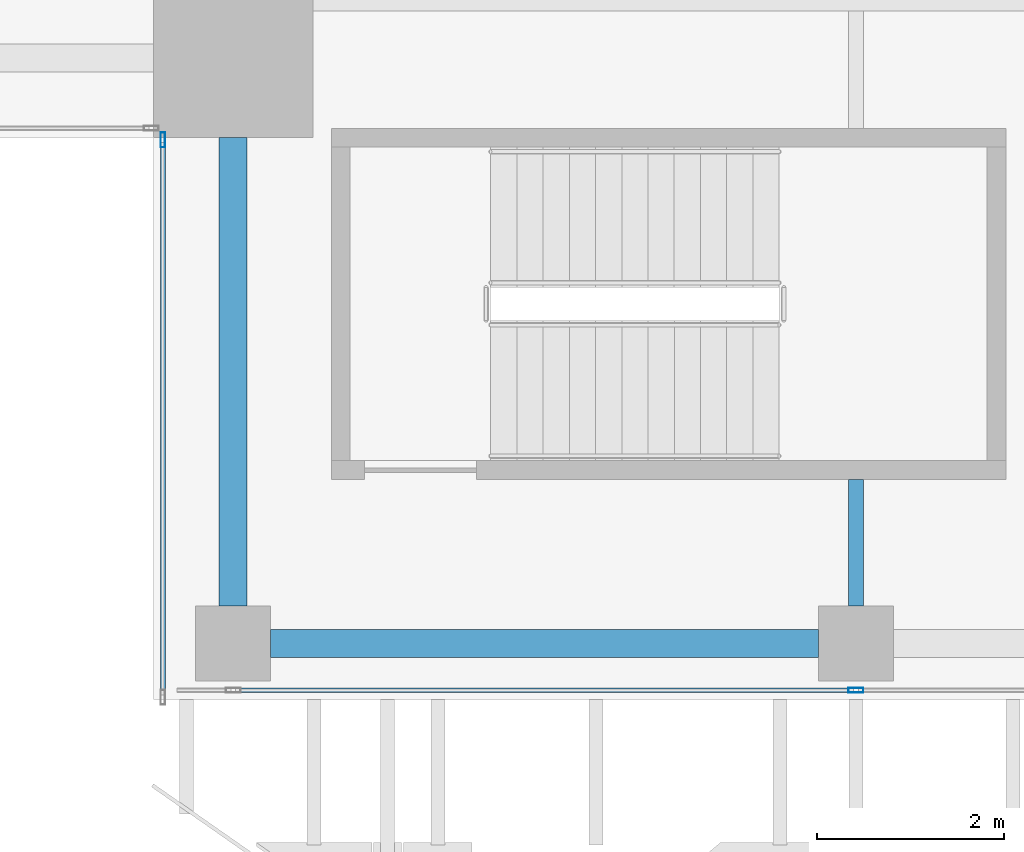
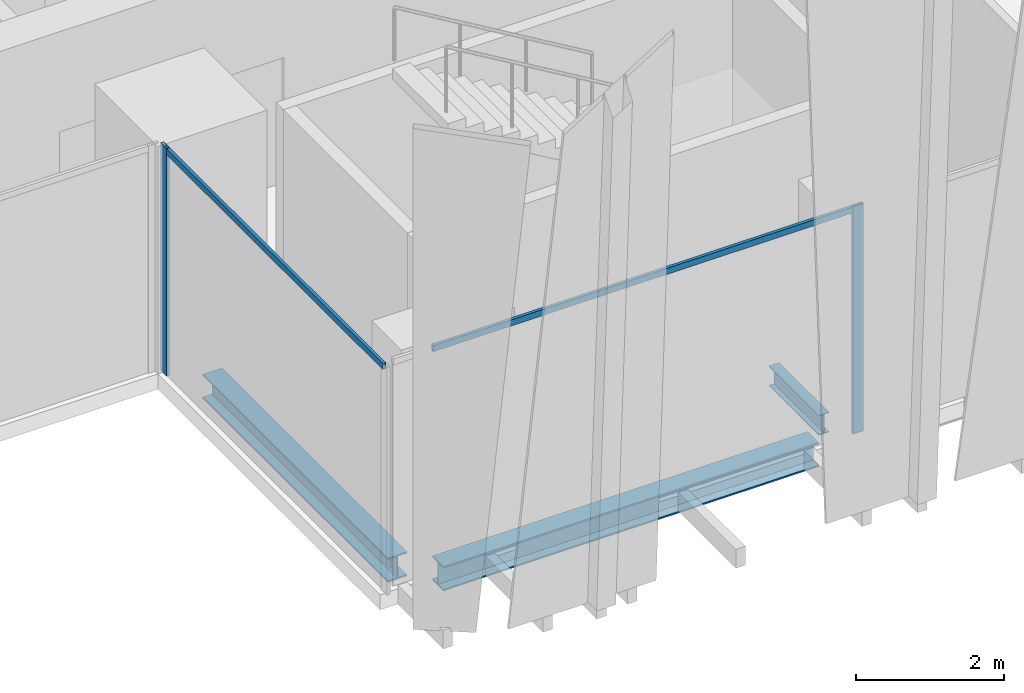
# One storey, part 3 of 33: 4 members, 3 beams, 2 elements without a shape of their own.
"""IFC4 building model written with IfcOpenShell, lengths in metres."""

from ifc_helpers import new_model, si_unit, direction, frame, origin, origin_2d, place, context, subcontext, project, spatial, hollow_rectangle, i_section, extrude, source, transform, mapped, material, material_profile, profile_set, type_object, element, aggregate, save


model = new_model("IFC4")

# Units and contexts
model_context = context("Model", 3, precision=1e-05, world=origin(), true_north=direction((0.0, 1.0)))
body_context = subcontext(model_context, "Body", "Model", "MODEL_VIEW")
ifc_project = project(units=[si_unit("LENGTHUNIT", "METRE"), si_unit("AREAUNIT", "SQUARE_METRE"), si_unit("VOLUMEUNIT", "CUBIC_METRE"), si_unit("PLANEANGLEUNIT", "RADIAN"), si_unit("MASSUNIT", "GRAM", prefix="KILO")], contexts=[model_context])

# Site, building, storey
site_placement = place(None, origin())
site = spatial("IfcSite", under=ifc_project, at=site_placement, CompositionType="ELEMENT")
building_placement = place(site_placement, origin())
building = spatial("IfcBuilding", under=site, at=building_placement, Name="Khomas Fold Tower", CompositionType="ELEMENT")
storey_placement = place(building_placement, frame((0.0, 0.0, 294.199951171875)))
storey = spatial("IfcBuildingStorey", under=building, at=storey_placement, Name="L66", CompositionType="ELEMENT", Elevation=294.199951171875)

# Beams
ifc_material_1 = material(Name="Steel S355", Category="steel")
ifc_material_profile_1 = material_profile(ifc_material_1, i_section(OverallWidth=0.159912109375, OverallDepth=0.330078125, WebThickness=0.007568359375, FlangeThickness=0.011474609375, at=origin_2d()), Name="IPE 330")
ifc_profile_set_1 = profile_set([ifc_material_profile_1], Name="Steel S355")
beam_type_1 = type_object("IfcBeamType", Name="IPE 330 beam JB1", PredefinedType="BEAM", material=ifc_profile_set_1)
shared_shape_1 = source(origin(), body_context, "Body", "SweptSolid", [
    extrude(i_section(OverallWidth=0.159912109375, OverallDepth=0.330078125, WebThickness=0.007568359375, FlangeThickness=0.011474609375, at=origin_2d()), origin(), (0.0, 0.0, 1.0), 1.35009765625),
])
beam_1_placement = place(storey_placement, frame((19.5, 7.0, -0.4150390625), z_axis=(0.0, 1.0, 0.0), x_axis=(-1.0, 0.0, 0.0)))
element("IfcBeam", 1, at=beam_1_placement, inside=storey, type_object=beam_type_1, Name="JB1", PredefinedType="BEAM", context=body_context, shape_type="MappedRepresentation", body=[
    mapped(shared_shape_1, transform((0.0, 0.0, 0.0))),
])
ifc_material_2 = material(Name="Steel S355", Category="steel")
ifc_material_profile_2 = material_profile(ifc_material_2, i_section(OverallWidth=0.300048828125, OverallDepth=0.39990234375, WebThickness=0.013427734375, FlangeThickness=0.02392578125, at=origin_2d()), Name="HE 400 B")
ifc_profile_set_2 = profile_set([ifc_material_profile_2], Name="Steel S355")
beam_type_2 = type_object("IfcBeamType", Name="HE 400 B spandrel SB5", PredefinedType="SPANDREL", material=ifc_profile_set_2)
shared_shape_2 = source(origin(), body_context, "Body", "SweptSolid", [
    extrude(i_section(OverallWidth=0.300048828125, OverallDepth=0.39990234375, WebThickness=0.013427734375, FlangeThickness=0.02392578125, at=origin_2d()), origin(), (0.0, 0.0, 1.0), 5.85009765625),
])
beam_2_placement = place(storey_placement, frame((13.25, 6.60009765625, -0.449951171875), z_axis=(1.0, 0.0, 0.0), x_axis=(0.0, 1.0, 0.0)))
element("IfcBeam", 2, at=beam_2_placement, inside=storey, type_object=beam_type_2, Name="SB5", PredefinedType="SPANDREL", context=body_context, shape_type="MappedRepresentation", body=[
    mapped(shared_shape_2, transform((0.0, 0.0, 0.0))),
])
shared_shape_3 = source(origin(), body_context, "Body", "SweptSolid", [
    extrude(i_section(OverallWidth=0.300048828125, OverallDepth=0.39990234375, WebThickness=0.013427734375, FlangeThickness=0.02392578125, at=origin_2d()), origin(), (0.0, 0.0, 1.0), 5.0),
])
beam_3_placement = place(storey_placement, frame((12.85009765625, 7.0, -0.449951171875), z_axis=(0.0, 1.0, 0.0), x_axis=(-1.0, 0.0, 0.0)))
element("IfcBeam", 3, at=beam_3_placement, inside=storey, type_object=beam_type_2, Name="SB5", PredefinedType="SPANDREL", context=body_context, shape_type="MappedRepresentation", body=[
    mapped(shared_shape_3, transform((0.0, 0.0, 0.0))),
])

# Curtain wall, member
ifc_material_3 = material(Name="Aluminium framed double glazing", Category="aluminium")
curtain_wall_type = type_object("IfcCurtainWallType", Name="SK-Unitised clear-glass wall, upper floors CW3", PredefinedType="NOTDEFINED", material=ifc_material_3)
curtain_wall_1_placement = place(storey_placement, origin())
curtain_wall_1 = element("IfcCurtainWall", 4, at=curtain_wall_1_placement, inside=storey, type_object=curtain_wall_type, Name="CW3 run L66 00-0", PredefinedType="NOTDEFINED")
ifc_material_4 = material(Name="Aluminium", Category="aluminium")
ifc_material_profile_3 = material_profile(ifc_material_4, hollow_rectangle(XDim=0.050048828125, YDim=0.159912109375, WallThickness=0.00390625, at=origin_2d()), Name="SK-Unitised clear-glass wall, upper floors mullion CW3-M")
ifc_profile_set_3 = profile_set([ifc_material_profile_3], Name="Aluminium")
member_type_1 = type_object("IfcMemberType", Name="SK-Unitised clear-glass wall, upper floors mullion CW3-M", PredefinedType="MULLION", material=ifc_profile_set_3)
shared_shape_4 = source(origin(), body_context, "Body", "SweptSolid", [
    extrude(hollow_rectangle(XDim=0.050048828125, YDim=0.159912109375, WallThickness=0.00390625, at=origin_2d()), origin(), (0.0, 0.0, 1.0), 3.75),
])
member_1_placement = place(storey_placement, frame((19.5, 6.10009765625, 0.0), z_axis=(0.0, 0.0, 1.0), x_axis=(0.0, 1.0, 0.0)))
member_1 = element("IfcMember", 5, at=member_1_placement, type_object=member_type_1, Name="CW3 mullion 3", PredefinedType="MULLION", context=body_context, shape_type="MappedRepresentation", body=[
    mapped(shared_shape_4, transform((0.0, 0.0, 0.0))),
])

curtain_wall_2_placement = place(storey_placement, origin())
curtain_wall_2 = element("IfcCurtainWall", 6, at=curtain_wall_2_placement, inside=storey, type_object=curtain_wall_type, Name="CW3 corner return L66 11", PredefinedType="NOTDEFINED")
member_2_placement = place(storey_placement, frame((12.10009765625, 11.97509765625, 0.0), z_axis=(0.0, 0.0, 1.0), x_axis=(1.0, 0.0, 0.0)))
member_2 = element("IfcMember", 7, at=member_2_placement, type_object=member_type_1, Name="CW3 mullion 1", PredefinedType="MULLION", context=body_context, shape_type="MappedRepresentation", body=[
    mapped(shared_shape_4, transform((0.0, 0.0, 0.0))),
])

# Member
ifc_material_5 = material(Name="Aluminium", Category="aluminium")
ifc_material_profile_4 = material_profile(ifc_material_5, hollow_rectangle(XDim=0.050048828125, YDim=0.10009765625, WallThickness=0.00390625, at=origin_2d()), Name="SK-Unitised clear-glass wall, upper floors transom CW3-T")
ifc_profile_set_4 = profile_set([ifc_material_profile_4], Name="Aluminium")
member_type_2 = type_object("IfcMemberType", Name="SK-Unitised clear-glass wall, upper floors transom CW3-T", PredefinedType="USERDEFINED", material=ifc_profile_set_4)
shared_shape_5 = source(origin(), body_context, "Body", "SweptSolid", [
    extrude(hollow_rectangle(XDim=0.050048828125, YDim=0.10009765625, WallThickness=0.00390625, at=origin_2d()), origin(), (0.0, 0.0, 1.0), 6.60009765625),
])
member_3_placement = place(storey_placement, frame((12.875, 6.10009765625, 3.699951171875), z_axis=(1.0, 0.0, 0.0), x_axis=(0.0, 1.0, 0.0)))
member_3 = element("IfcMember", 8, at=member_3_placement, type_object=member_type_2, Name="CW3 transom 2", ObjectType="TRANSOM", PredefinedType="USERDEFINED", context=body_context, shape_type="MappedRepresentation", body=[
    mapped(shared_shape_5, transform((0.0, 0.0, 0.0))),
])

aggregate(curtain_wall_1, [member_1, member_3])

shared_shape_6 = source(origin(), body_context, "Body", "SweptSolid", [
    extrude(hollow_rectangle(XDim=0.050048828125, YDim=0.10009765625, WallThickness=0.00390625, at=origin_2d()), origin(), (0.0, 0.0, 1.0), 5.89990234375),
])
member_4_placement = place(storey_placement, frame((12.10009765625, 11.949951171875, 3.699951171875), z_axis=(0.0, -1.0, 0.0), x_axis=(1.0, 0.0, 0.0)))
member_4 = element("IfcMember", 9, at=member_4_placement, type_object=member_type_2, Name="CW3 transom 1", ObjectType="TRANSOM", PredefinedType="USERDEFINED", context=body_context, shape_type="MappedRepresentation", body=[
    mapped(shared_shape_6, transform((0.0, 0.0, 0.0))),
])

aggregate(curtain_wall_2, [member_2, member_4])

save(model, "model.ifc")
